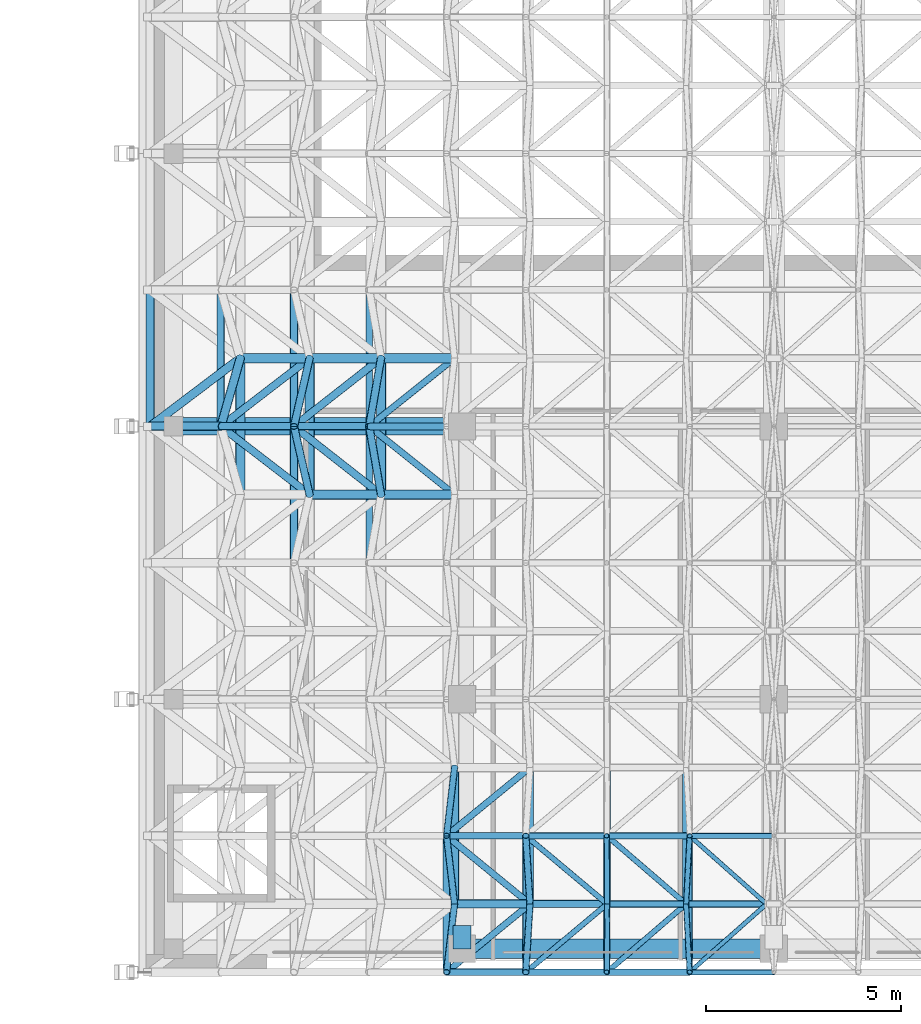
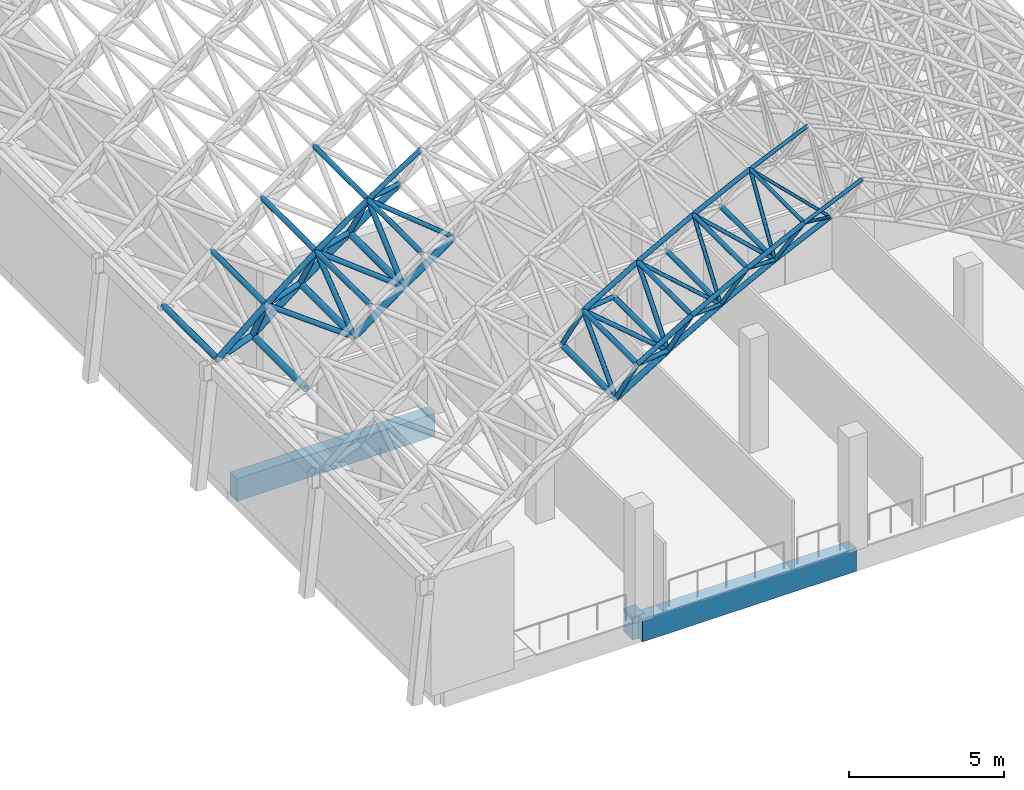
# One storey, part 39 of 141: 68 members, 3 beams.
"""IFC4 building model written with IfcOpenShell, lengths in metres."""

from ifc_helpers import new_model, si_unit, direction, frame, origin, origin_2d, place, context, subcontext, project, spatial, rectangle, hollow_circle, extrude, material, material_profile, profile_set, type_object, element, save


model = new_model("IFC4")

# Units and contexts
model_context = context("Model", 3, precision=1e-05, world=origin(), true_north=direction((0.0, 1.0)))
body_context = subcontext(model_context, "Body", "Model", "MODEL_VIEW")
ifc_project = project(units=[si_unit("LENGTHUNIT", "METRE"), si_unit("AREAUNIT", "SQUARE_METRE"), si_unit("VOLUMEUNIT", "CUBIC_METRE"), si_unit("PLANEANGLEUNIT", "RADIAN"), si_unit("MASSUNIT", "GRAM", prefix="KILO")], contexts=[model_context])

# Site, building, storey
site_placement = place(None, origin())
site = spatial("IfcSite", under=ifc_project, at=site_placement, CompositionType="ELEMENT")
building_placement = place(site_placement, origin())
building = spatial("IfcBuilding", under=site, at=building_placement, Name="Lantern Court Media Centre", CompositionType="ELEMENT")
storey_placement = place(building_placement, frame((0.0, 0.0, 9.60009765625)))
storey = spatial("IfcBuildingStorey", under=building, at=storey_placement, Name="L02", CompositionType="ELEMENT", Elevation=9.60009765625)

# Beams
ifc_material_1 = material(Name="Concrete C35", Category="concrete")
ifc_material_profile_1 = material_profile(ifc_material_1, rectangle(XDim=0.449951171875, YDim=0.89990234375, at=origin_2d()), Name="RC 450x900")
ifc_profile_set_1 = profile_set([ifc_material_profile_1], Name="Concrete C35")
beam_type_1 = type_object("IfcBeamType", Name="RC BEAM 450x900", PredefinedType="BEAM", material=ifc_profile_set_1)
beam_1_placement = place(storey_placement, frame((72.60009765625, 12.0, -0.4501953125), z_axis=(1.0, 0.0, 0.0), x_axis=(0.0, 1.0, 0.0)))
element("IfcBeam", 1, at=beam_1_placement, inside=storey, type_object=beam_type_1, Name="HB-V2-L02-FX2-0", PredefinedType="BEAM", context=body_context, shape_type="SweptSolid", body=[
    extrude(rectangle(XDim=0.449951171875, YDim=0.89990234375, at=origin_2d()), origin(), (0.0, 0.0, 1.0), 7.39990234375),
])
beam_2_placement = place(storey_placement, frame((80.0, -1.39990234375, -0.4501953125), z_axis=(0.0, 1.0, 0.0), x_axis=(-1.0, 0.0, 0.0)))
element("IfcBeam", 2, at=beam_2_placement, inside=storey, type_object=beam_type_1, Name="HB-V2-L02-FY1-0", PredefinedType="BEAM", context=body_context, shape_type="SweptSolid", body=[
    extrude(rectangle(XDim=0.449951171875, YDim=0.89990234375, at=origin_2d()), origin(), (0.0, 0.0, 1.0), 0.599853515625),
])
ifc_material_profile_2 = material_profile(ifc_material_1, rectangle(XDim=0.5, YDim=0.89990234375, at=origin_2d()), Name="RC 500x900")
ifc_profile_set_2 = profile_set([ifc_material_profile_2], Name="Concrete C35")
beam_type_2 = type_object("IfcBeamType", Name="RC BEAM 500x900", PredefinedType="BEAM", material=ifc_profile_set_2)
beam_3_placement = place(storey_placement, frame((80.0, -1.39990234375, -0.4501953125), z_axis=(1.0, 0.0, 0.0), x_axis=(0.0, 1.0, 0.0)))
element("IfcBeam", 3, at=beam_3_placement, inside=storey, type_object=beam_type_2, Name="HB-V2-L02-FX0-1", PredefinedType="BEAM", context=body_context, shape_type="SweptSolid", body=[
    extrude(rectangle(XDim=0.5, YDim=0.89990234375, at=origin_2d()), origin(), (0.0, 0.0, 1.0), 8.0),
])

# Members
ifc_material_2 = material(Name="Steel S355J2 (EN 10025-2)", Category="steel")
ifc_material_profile_3 = material_profile(ifc_material_2, hollow_circle(Radius=0.0888671875, WallThickness=0.008056640625, at=origin_2d()), Name="Studio Hall bottom CHS 177.8x8")
ifc_profile_set_3 = profile_set([ifc_material_profile_3], Name="Steel S355J2 (EN 10025-2)")
member_type_1 = type_object("IfcMemberType", Name="Studio Hall bottom CHS 177.8x8", PredefinedType="CHORD", material=ifc_profile_set_3)
for number, where, z_axis, x_axis, name in (
    (4, (83.724365234375, -0.25, 10.2939453125), (0.0, 1.0, 0.0), (-1.0, 0.0, 0.0), "Studio Hall bottom chord 06-01"),
    (5, (85.748291015625, -0.25, 11.3466796875), (0.0, 1.0, 0.0), (-1.0, 0.0, 0.0), "Studio Hall bottom chord 07-01"),
):
    element("IfcMember", number, at=place(storey_placement, frame(where, z_axis=z_axis, x_axis=x_axis)), inside=storey, type_object=member_type_1, Name=name, PredefinedType="CHORD", context=body_context, shape_type="SweptSolid", body=[
        extrude(hollow_circle(Radius=0.0888671875, WallThickness=0.008056640625, at=origin_2d()), origin(), (0.0, 0.0, 1.0), 3.5),
    ])
member_1_placement = place(storey_placement, frame((83.724365234375, -0.25, 10.2939453125), z_axis=(0.887164230848, 0.0, 0.461453819471), x_axis=(0.0, 1.0, 0.0)))
element("IfcMember", 6, at=member_1_placement, inside=storey, type_object=member_type_1, Name="Studio Hall bottom chord 06-01 across", PredefinedType="CHORD", context=body_context, shape_type="SweptSolid", body=[
    extrude(hollow_circle(Radius=0.0888671875, WallThickness=0.008056640625, at=origin_2d()), origin(), (0.0, 0.0, 1.0), 2.28125),
])
member_2_placement = place(storey_placement, frame((85.748291015625, -0.25, 11.3466796875), z_axis=(0.904668285171, 0.0, 0.426116526088), x_axis=(0.0, 1.0, 0.0)))
element("IfcMember", 7, at=member_2_placement, inside=storey, type_object=member_type_1, Name="Studio Hall bottom chord 07-01 across", PredefinedType="CHORD", context=body_context, shape_type="SweptSolid", body=[
    extrude(hollow_circle(Radius=0.0888671875, WallThickness=0.008056640625, at=origin_2d()), origin(), (0.0, 0.0, 1.0), 2.281494140625),
])
ifc_material_profile_4 = material_profile(ifc_material_2, hollow_circle(Radius=0.096923828125, WallThickness=0.008056640625, at=origin_2d()), Name="Studio Hall bottom CHS 193.7x8")
ifc_profile_set_4 = profile_set([ifc_material_profile_4], Name="Steel S355J2 (EN 10025-2)")
member_type_2 = type_object("IfcMemberType", Name="Studio Hall bottom CHS 193.7x8", PredefinedType="CHORD", material=ifc_profile_set_4)
member_3_placement = place(storey_placement, frame((81.74365234375, -0.25, 9.162109375), z_axis=(0.0, 1.0, 0.0), x_axis=(-1.0, 0.0, 0.0)))
element("IfcMember", 8, at=member_3_placement, inside=storey, type_object=member_type_2, Name="Studio Hall bottom chord 05-01", PredefinedType="CHORD", context=body_context, shape_type="SweptSolid", body=[
    extrude(hollow_circle(Radius=0.096923828125, WallThickness=0.008056640625, at=origin_2d()), origin(), (0.0, 0.0, 1.0), 3.5),
])
member_4_placement = place(storey_placement, frame((81.74365234375, -0.25, 9.162109375), z_axis=(0.868243142124, 0.0, 0.496138938357), x_axis=(0.0, 1.0, 0.0)))
element("IfcMember", 9, at=member_4_placement, inside=storey, type_object=member_type_2, Name="Studio Hall bottom chord 05-01 across", PredefinedType="CHORD", context=body_context, shape_type="SweptSolid", body=[
    extrude(hollow_circle(Radius=0.096923828125, WallThickness=0.008056640625, at=origin_2d()), origin(), (0.0, 0.0, 1.0), 2.28125),
])
ifc_material_profile_5 = material_profile(ifc_material_2, hollow_circle(Radius=0.109619140625, WallThickness=0.010009765625, at=origin_2d()), Name="Studio Hall bottom CHS 219.1x10")
ifc_profile_set_5 = profile_set([ifc_material_profile_5], Name="Steel S355J2 (EN 10025-2)")
member_type_3 = type_object("IfcMemberType", Name="Studio Hall bottom CHS 219.1x10", PredefinedType="CHORD", material=ifc_profile_set_5)
member_5_placement = place(storey_placement, frame((79.80908203125, -0.25, 7.953125), z_axis=(0.0, 1.0, 0.0), x_axis=(-1.0, 0.0, 0.0)))
element("IfcMember", 10, at=member_5_placement, inside=storey, type_object=member_type_3, Name="Studio Hall bottom chord 04-01", PredefinedType="CHORD", context=body_context, shape_type="SweptSolid", body=[
    extrude(hollow_circle(Radius=0.109619140625, WallThickness=0.010009765625, at=origin_2d()), origin(), (0.0, 0.0, 1.0), 3.5),
])
member_6_placement = place(storey_placement, frame((79.80908203125, -0.25, 7.953125), z_axis=(0.848022352453, 0.0, 0.529960460544), x_axis=(0.0, 1.0, 0.0)))
element("IfcMember", 11, at=member_6_placement, inside=storey, type_object=member_type_3, Name="Studio Hall bottom chord 04-01 across", PredefinedType="CHORD", context=body_context, shape_type="SweptSolid", body=[
    extrude(hollow_circle(Radius=0.109619140625, WallThickness=0.010009765625, at=origin_2d()), origin(), (0.0, 0.0, 1.0), 2.28125),
])
ifc_material_profile_6 = material_profile(ifc_material_2, hollow_circle(Radius=0.122314453125, WallThickness=0.012451171875, at=origin_2d()), Name="Studio Hall bottom CHS 244.5x12.5")
ifc_profile_set_6 = profile_set([ifc_material_profile_6], Name="Steel S355J2 (EN 10025-2)")
member_type_4 = type_object("IfcMemberType", Name="Studio Hall bottom CHS 244.5x12.5", PredefinedType="CHORD", material=ifc_profile_set_6)
member_7_placement = place(storey_placement, frame((77.923828125, 10.25, 6.66845703125), z_axis=(0.0, 1.0, 0.0), x_axis=(-1.0, 0.0, 0.0)))
element("IfcMember", 12, at=member_7_placement, inside=storey, type_object=member_type_4, Name="Studio Hall bottom chord 03-04", PredefinedType="CHORD", context=body_context, shape_type="SweptSolid", body=[
    extrude(hollow_circle(Radius=0.122314453125, WallThickness=0.012451171875, at=origin_2d()), origin(), (0.0, 0.0, 1.0), 3.5),
])
for number, where, z_axis, x_axis, name in (
    (13, (77.923828125, 10.25, 6.66845703125), (0.826376743552, 0.0, 0.563117641099), (0.0, 1.0, 0.0), "Studio Hall bottom chord 03-04 across"),
    (14, (77.923828125, 13.75, 6.66845703125), (0.826376743552, 0.0, 0.563117641099), (0.0, 1.0, 0.0), "Studio Hall bottom chord 03-05 across"),
):
    element("IfcMember", number, at=place(storey_placement, frame(where, z_axis=z_axis, x_axis=x_axis)), inside=storey, type_object=member_type_4, Name=name, PredefinedType="CHORD", context=body_context, shape_type="SweptSolid", body=[
        extrude(hollow_circle(Radius=0.122314453125, WallThickness=0.012451171875, at=origin_2d()), origin(), (0.0, 0.0, 1.0), 2.28125),
    ])
ifc_material_profile_7 = material_profile(ifc_material_2, hollow_circle(Radius=0.122314453125, WallThickness=0.01611328125, at=origin_2d()), Name="Studio Hall bottom CHS 244.5x16")
ifc_profile_set_7 = profile_set([ifc_material_profile_7], Name="Steel S355J2 (EN 10025-2)")
member_type_5 = type_object("IfcMemberType", Name="Studio Hall bottom CHS 244.5x16", PredefinedType="CHORD", material=ifc_profile_set_7)
member_8_placement = place(storey_placement, frame((76.090576171875, 10.25, 5.310546875), z_axis=(0.0, 1.0, 0.0), x_axis=(-1.0, 0.0, 0.0)))
element("IfcMember", 15, at=member_8_placement, inside=storey, type_object=member_type_5, Name="Studio Hall bottom chord 02-04", PredefinedType="CHORD", context=body_context, shape_type="SweptSolid", body=[
    extrude(hollow_circle(Radius=0.122314453125, WallThickness=0.01611328125, at=origin_2d()), origin(), (0.0, 0.0, 1.0), 3.5),
])
for number, where, z_axis, x_axis, name in (
    (16, (76.090576171875, 10.25, 5.310546875), (0.803568567589, 0.0, 0.59521219509), (0.0, 1.0, 0.0), "Studio Hall bottom chord 02-04 across"),
    (17, (76.090576171875, 13.75, 5.310546875), (0.803568567589, 0.0, 0.59521219509), (0.0, 1.0, 0.0), "Studio Hall bottom chord 02-05 across"),
):
    element("IfcMember", number, at=place(storey_placement, frame(where, z_axis=z_axis, x_axis=x_axis)), inside=storey, type_object=member_type_5, Name=name, PredefinedType="CHORD", context=body_context, shape_type="SweptSolid", body=[
        extrude(hollow_circle(Radius=0.122314453125, WallThickness=0.01611328125, at=origin_2d()), origin(), (0.0, 0.0, 1.0), 2.281494140625),
    ])
ifc_material_profile_8 = material_profile(ifc_material_2, hollow_circle(Radius=0.122314453125, WallThickness=0.02001953125, at=origin_2d()), Name="Studio Hall bottom CHS 244.5x20")
ifc_profile_set_8 = profile_set([ifc_material_profile_8], Name="Steel S355J2 (EN 10025-2)")
member_type_6 = type_object("IfcMemberType", Name="Studio Hall bottom CHS 244.5x20", PredefinedType="CHORD", material=ifc_profile_set_8)
member_9_placement = place(storey_placement, frame((74.3125, 10.25, 3.881591796875), z_axis=(0.0, 1.0, 0.0), x_axis=(-1.0, 0.0, 0.0)))
element("IfcMember", 18, at=member_9_placement, inside=storey, type_object=member_type_6, Name="Studio Hall bottom chord 01-04", PredefinedType="CHORD", context=body_context, shape_type="SweptSolid", body=[
    extrude(hollow_circle(Radius=0.122314453125, WallThickness=0.02001953125, at=origin_2d()), origin(), (0.0, 0.0, 1.0), 3.5),
])
member_10_placement = place(storey_placement, frame((74.3125, 13.75, 3.881591796875), z_axis=(0.779478138425, 0.0, 0.626429430757), x_axis=(0.0, 1.0, 0.0)))
element("IfcMember", 19, at=member_10_placement, inside=storey, type_object=member_type_6, Name="Studio Hall bottom chord 01-05 across", PredefinedType="CHORD", context=body_context, shape_type="SweptSolid", body=[
    extrude(hollow_circle(Radius=0.122314453125, WallThickness=0.02001953125, at=origin_2d()), origin(), (0.0, 0.0, 1.0), 2.281005859375),
])
ifc_material_profile_9 = material_profile(ifc_material_2, hollow_circle(Radius=0.05712890625, WallThickness=0.0048828125, at=origin_2d()), Name="Studio Hall diagonal CHS 114.3x5")
ifc_profile_set_9 = profile_set([ifc_material_profile_9], Name="Steel S355J2 (EN 10025-2)")
member_type_7 = type_object("IfcMemberType", Name="Studio Hall diagonal CHS 114.3x5", PredefinedType="BRACE", material=ifc_profile_set_9)
for number, where, z_axis, x_axis, name in (
    (20, (87.812255859375, -0.25, 12.31884765625), (-0.64897917405, -0.57530085575, 0.497850335967), (0.663352272412, -0.748307264889, 0.0), "Studio Hall diagonal 08-01-1"),
    (21, (87.812255859375, -0.25, 12.31884765625), (-0.64897917405, 0.57530085575, 0.497850335967), (-0.663352272412, -0.748307264889, 0.0), "Studio Hall diagonal 08-01-4"),
):
    element("IfcMember", number, at=place(storey_placement, frame(where, z_axis=z_axis, x_axis=x_axis)), inside=storey, type_object=member_type_7, Name=name, PredefinedType="BRACE", context=body_context, shape_type="SweptSolid", body=[
        extrude(hollow_circle(Radius=0.05712890625, WallThickness=0.0048828125, at=origin_2d()), origin(), (0.0, 0.0, 1.0), 3.0419921875),
    ])
ifc_material_profile_10 = material_profile(ifc_material_2, hollow_circle(Radius=0.06982421875, WallThickness=0.00634765625, at=origin_2d()), Name="Studio Hall diagonal CHS 139.7x6.3")
ifc_profile_set_10 = profile_set([ifc_material_profile_10], Name="Steel S355J2 (EN 10025-2)")
member_type_8 = type_object("IfcMemberType", Name="Studio Hall diagonal CHS 139.7x6.3", PredefinedType="BRACE", material=ifc_profile_set_10)
for number, where, z_axis, x_axis, name in (
    (22, (83.724365234375, -0.25, 10.2939453125), (-0.686219606918, -0.575300835367, 0.445119759061), (0.642456097081, -0.76632249303, 0.0), "Studio Hall diagonal 06-01-1"),
    (23, (83.724365234375, -0.25, 10.2939453125), (-0.002728673556, -0.575268589684, 0.817960025957), (0.999988750725, -0.004743250213, 0.0), "Studio Hall diagonal 06-01-2"),
    (24, (83.724365234375, -0.25, 10.2939453125), (-0.002728673556, 0.575268589684, 0.817960025957), (-0.999988750725, -0.004743250213, 0.0), "Studio Hall diagonal 06-01-3"),
    (25, (83.724365234375, -0.25, 10.2939453125), (-0.686219606918, 0.575300835367, 0.445119759061), (-0.642456097081, -0.76632249303, 0.0), "Studio Hall diagonal 06-01-4"),
    (26, (85.748291015625, -0.25, 11.3466796875), (-0.668074997838, -0.575295721349, 0.471922271419), (0.652528943422, -0.757763800927, 0.0), "Studio Hall diagonal 07-01-1"),
    (27, (85.748291015625, -0.25, 11.3466796875), (0.029534674704, -0.575284098581, 0.817420276792), (0.998684738299, 0.051271761118, 0.0), "Studio Hall diagonal 07-01-2"),
    (28, (85.748291015625, -0.25, 11.3466796875), (0.029534674704, 0.575284098581, 0.817420276792), (-0.998684738299, 0.051271761118, 0.0), "Studio Hall diagonal 07-01-3"),
    (29, (85.748291015625, -0.25, 11.3466796875), (-0.668074997838, 0.575295721349, 0.471922271419), (-0.652528943422, -0.757763800927, 0.0), "Studio Hall diagonal 07-01-4"),
):
    element("IfcMember", number, at=place(storey_placement, frame(where, z_axis=z_axis, x_axis=x_axis)), inside=storey, type_object=member_type_8, Name=name, PredefinedType="BRACE", context=body_context, shape_type="SweptSolid", body=[
        extrude(hollow_circle(Radius=0.06982421875, WallThickness=0.00634765625, at=origin_2d()), origin(), (0.0, 0.0, 1.0), 3.0419921875),
    ])
ifc_material_profile_11 = material_profile(ifc_material_2, hollow_circle(Radius=0.084228515625, WallThickness=0.00634765625, at=origin_2d()), Name="Studio Hall diagonal CHS 168.3x6.3")
ifc_profile_set_11 = profile_set([ifc_material_profile_11], Name="Steel S355J2 (EN 10025-2)")
member_type_9 = type_object("IfcMemberType", Name="Studio Hall diagonal CHS 168.3x6.3", PredefinedType="BRACE", material=ifc_profile_set_11)
for number, where, z_axis, x_axis, name in (
    (30, (81.74365234375, -0.25, 9.162109375), (-0.703225463004, -0.575293325589, 0.417745781207), (0.633189685482, -0.77399665516, 0.0), "Studio Hall diagonal 05-01-1"),
    (31, (81.74365234375, -0.25, 9.162109375), (-0.035073053804, -0.575294392838, 0.817194127773), (0.99814677432, -0.060852419138, 0.0), "Studio Hall diagonal 05-01-2"),
    (32, (81.74365234375, -0.25, 9.162109375), (-0.035073053804, 0.575294392838, 0.817194127773), (-0.99814677432, -0.060852419138, 0.0), "Studio Hall diagonal 05-01-3"),
    (33, (81.74365234375, -0.25, 9.162109375), (-0.703225463004, 0.575293325589, 0.417745781207), (-0.633189685482, -0.77399665516, 0.0), "Studio Hall diagonal 05-01-4"),
    (34, (81.74365234375, 3.25, 9.162109375), (-0.703225463004, -0.575293325589, 0.417745781207), (0.633189685482, -0.77399665516, 0.0), "Studio Hall diagonal 05-02-1"),
):
    element("IfcMember", number, at=place(storey_placement, frame(where, z_axis=z_axis, x_axis=x_axis)), inside=storey, type_object=member_type_9, Name=name, PredefinedType="BRACE", context=body_context, shape_type="SweptSolid", body=[
        extrude(hollow_circle(Radius=0.084228515625, WallThickness=0.00634765625, at=origin_2d()), origin(), (0.0, 0.0, 1.0), 3.0419921875),
    ])
ifc_material_profile_12 = material_profile(ifc_material_2, hollow_circle(Radius=0.084228515625, WallThickness=0.008056640625, at=origin_2d()), Name="Studio Hall diagonal CHS 168.3x8")
ifc_profile_set_12 = profile_set([ifc_material_profile_12], Name="Steel S355J2 (EN 10025-2)")
member_type_10 = type_object("IfcMemberType", Name="Studio Hall diagonal CHS 168.3x8", PredefinedType="BRACE", material=ifc_profile_set_12)
for number, where, z_axis, x_axis, name in (
    (35, (79.80908203125, -0.25, 7.953125), (-0.067256187735, -0.575289204878, 0.815180308865), (0.993235466132, -0.116117650756, 0.0), "Studio Hall diagonal 04-01-2"),
    (36, (79.80908203125, -0.25, 7.953125), (-0.067256187735, 0.575289204878, 0.815180308865), (-0.993235466132, -0.116117650756, 0.0), "Studio Hall diagonal 04-01-3"),
    (37, (79.80908203125, 3.25, 7.953125), (-0.067256187735, -0.575289204878, 0.815180308865), (0.993235466132, -0.116117650756, 0.0), "Studio Hall diagonal 04-02-2"),
    (38, (79.80908203125, 10.25, 7.953125), (-0.719205791884, 0.57530042587, 0.38957983638), (-0.624652537065, -0.780902815937, 0.0), "Studio Hall diagonal 04-04-4"),
    (39, (79.80908203125, 13.75, 7.953125), (-0.719205791884, -0.57530042587, 0.38957983638), (0.624652537065, -0.780902815937, 0.0), "Studio Hall diagonal 04-05-1"),
):
    element("IfcMember", number, at=place(storey_placement, frame(where, z_axis=z_axis, x_axis=x_axis)), inside=storey, type_object=member_type_10, Name=name, PredefinedType="BRACE", context=body_context, shape_type="SweptSolid", body=[
        extrude(hollow_circle(Radius=0.084228515625, WallThickness=0.008056640625, at=origin_2d()), origin(), (0.0, 0.0, 1.0), 3.0419921875),
    ])
ifc_material_profile_13 = material_profile(ifc_material_2, hollow_circle(Radius=0.096923828125, WallThickness=0.010009765625, at=origin_2d()), Name="Studio Hall diagonal CHS 193.7x10")
ifc_profile_set_13 = profile_set([ifc_material_profile_13], Name="Steel S355J2 (EN 10025-2)")
member_type_11 = type_object("IfcMemberType", Name="Studio Hall diagonal CHS 193.7x10", PredefinedType="BRACE", material=ifc_profile_set_13)
for number, where, z_axis, x_axis, name in (
    (40, (76.090576171875, 10.25, 5.310546875), (-0.13137534314, 0.575258680284, 0.807352444706), (-0.97489985117, -0.222643841569, 0.0), "Studio Hall diagonal 02-04-3"),
    (41, (76.090576171875, 10.25, 5.310546875), (-0.747676961141, 0.575284291269, 0.331703400644), (-0.609809429153, -0.792548080634, 0.0), "Studio Hall diagonal 02-04-4"),
    (42, (76.090576171875, 13.75, 5.310546875), (-0.747676961141, -0.575284291269, 0.331703400644), (0.609809429153, -0.792548080634, 0.0), "Studio Hall diagonal 02-05-1"),
    (43, (76.090576171875, 13.75, 5.310546875), (-0.13137534314, -0.575258680284, 0.807352444706), (0.97489985117, -0.222643841569, 0.0), "Studio Hall diagonal 02-05-2"),
):
    element("IfcMember", number, at=place(storey_placement, frame(where, z_axis=z_axis, x_axis=x_axis)), inside=storey, type_object=member_type_11, Name=name, PredefinedType="BRACE", context=body_context, shape_type="SweptSolid", body=[
        extrude(hollow_circle(Radius=0.096923828125, WallThickness=0.010009765625, at=origin_2d()), origin(), (0.0, 0.0, 1.0), 3.0419921875),
    ])
ifc_material_profile_14 = material_profile(ifc_material_2, hollow_circle(Radius=0.096923828125, WallThickness=0.008056640625, at=origin_2d()), Name="Studio Hall diagonal CHS 193.7x8")
ifc_profile_set_14 = profile_set([ifc_material_profile_14], Name="Steel S355J2 (EN 10025-2)")
member_type_12 = type_object("IfcMemberType", Name="Studio Hall diagonal CHS 193.7x8", PredefinedType="BRACE", material=ifc_profile_set_14)
for number, where, z_axis, x_axis, name in (
    (44, (77.923828125, 10.25, 6.66845703125), (-0.099439098635, 0.575286084759, 0.811885328323), (-0.985387799185, -0.170325820758, 0.0), "Studio Hall diagonal 03-04-3"),
    (45, (77.923828125, 10.25, 6.66845703125), (-0.734005385991, 0.57526247614, 0.360983624118), (-0.616855729008, -0.787076241282, 0.0), "Studio Hall diagonal 03-04-4"),
    (46, (77.923828125, 13.75, 6.66845703125), (-0.734005385991, -0.57526247614, 0.360983624118), (0.616855729008, -0.787076241282, 0.0), "Studio Hall diagonal 03-05-1"),
    (47, (77.923828125, 13.75, 6.66845703125), (-0.099439098635, -0.575286084759, 0.811885328323), (0.985387799185, -0.170325820758, 0.0), "Studio Hall diagonal 03-05-2"),
):
    element("IfcMember", number, at=place(storey_placement, frame(where, z_axis=z_axis, x_axis=x_axis)), inside=storey, type_object=member_type_12, Name=name, PredefinedType="BRACE", context=body_context, shape_type="SweptSolid", body=[
        extrude(hollow_circle(Radius=0.096923828125, WallThickness=0.008056640625, at=origin_2d()), origin(), (0.0, 0.0, 1.0), 3.0419921875),
    ])
ifc_material_profile_15 = material_profile(ifc_material_2, hollow_circle(Radius=0.109619140625, WallThickness=0.010009765625, at=origin_2d()), Name="Studio Hall diagonal CHS 219.1x10")
ifc_profile_set_15 = profile_set([ifc_material_profile_15], Name="Steel S355J2 (EN 10025-2)")
member_type_13 = type_object("IfcMemberType", Name="Studio Hall diagonal CHS 219.1x10", PredefinedType="BRACE", material=ifc_profile_set_15)
member_11_placement = place(storey_placement, frame((74.3125, 13.75, 3.881591796875), z_axis=(-0.760210907984, -0.575294741177, 0.301853169862), x_axis=(0.603442670186, -0.797406385602, 0.0)))
element("IfcMember", 48, at=member_11_placement, inside=storey, type_object=member_type_13, Name="Studio Hall diagonal 01-05-1", PredefinedType="BRACE", context=body_context, shape_type="SweptSolid", body=[
    extrude(hollow_circle(Radius=0.109619140625, WallThickness=0.010009765625, at=origin_2d()), origin(), (0.0, 0.0, 1.0), 3.0419921875),
])
member_12_placement = place(storey_placement, frame((74.3125, 13.75, 3.881591796875), z_axis=(-0.163171626005, -0.575314419679, 0.801491321835), x_axis=(0.962053941871, -0.2728593281, 0.0)))
element("IfcMember", 49, at=member_12_placement, inside=storey, type_object=member_type_13, Name="Studio Hall diagonal 01-05-2", PredefinedType="BRACE", context=body_context, shape_type="SweptSolid", body=[
    extrude(hollow_circle(Radius=0.109619140625, WallThickness=0.010009765625, at=origin_2d()), origin(), (0.0, 0.0, 1.0), 3.041748046875),
])
ifc_material_profile_16 = material_profile(ifc_material_2, hollow_circle(Radius=0.06982421875, WallThickness=0.00634765625, at=origin_2d()), Name="Studio Hall top CHS 139.7x6.3")
ifc_profile_set_16 = profile_set([ifc_material_profile_16], Name="Steel S355J2 (EN 10025-2)")
member_type_14 = type_object("IfcMemberType", Name="Studio Hall top CHS 139.7x6.3", PredefinedType="CHORD", material=ifc_profile_set_16)
member_13_placement = place(storey_placement, frame((85.838134765625, -2.0, 13.833251953125), z_axis=(0.0, 1.0, 0.0), x_axis=(-1.0, 0.0, 0.0)))
element("IfcMember", 50, at=member_13_placement, inside=storey, type_object=member_type_14, Name="Studio Hall top chord 08-01", PredefinedType="CHORD", context=body_context, shape_type="SweptSolid", body=[
    extrude(hollow_circle(Radius=0.06982421875, WallThickness=0.00634765625, at=origin_2d()), origin(), (0.0, 0.0, 1.0), 3.5),
])
for number, where, z_axis, x_axis, name in (
    (51, (85.838134765625, -2.0, 13.833251953125), (0.912912280931, 0.0, 0.408155812559), (0.0, 1.0, 0.0), "Studio Hall top chord 08-01 across"),
    (52, (85.838134765625, 1.5, 13.833251953125), (0.912912280931, 0.0, 0.408155812559), (0.0, 1.0, 0.0), "Studio Hall top chord 08-02 across"),
):
    element("IfcMember", number, at=place(storey_placement, frame(where, z_axis=z_axis, x_axis=x_axis)), inside=storey, type_object=member_type_14, Name=name, PredefinedType="CHORD", context=body_context, shape_type="SweptSolid", body=[
        extrude(hollow_circle(Radius=0.06982421875, WallThickness=0.00634765625, at=origin_2d()), origin(), (0.0, 0.0, 1.0), 2.3681640625),
    ])
ifc_material_profile_17 = material_profile(ifc_material_2, hollow_circle(Radius=0.084228515625, WallThickness=0.00634765625, at=origin_2d()), Name="Studio Hall top CHS 168.3x6.3")
ifc_profile_set_17 = profile_set([ifc_material_profile_17], Name="Steel S355J2 (EN 10025-2)")
member_type_15 = type_object("IfcMemberType", Name="Studio Hall top CHS 168.3x6.3", PredefinedType="CHORD", material=ifc_profile_set_17)
for number, where, z_axis, x_axis, name in (
    (53, (81.636962890625, -2.0, 11.64794921875), (0.0, 1.0, 0.0), (-1.0, 0.0, 0.0), "Studio Hall top chord 06-01"),
    (54, (83.716064453125, -2.0, 12.7822265625), (0.0, 1.0, 0.0), (-1.0, 0.0, 0.0), "Studio Hall top chord 07-01"),
):
    element("IfcMember", number, at=place(storey_placement, frame(where, z_axis=z_axis, x_axis=x_axis)), inside=storey, type_object=member_type_15, Name=name, PredefinedType="CHORD", context=body_context, shape_type="SweptSolid", body=[
        extrude(hollow_circle(Radius=0.084228515625, WallThickness=0.00634765625, at=origin_2d()), origin(), (0.0, 0.0, 1.0), 3.5),
    ])
member_14_placement = place(storey_placement, frame((81.636962890625, -2.0, 11.64794921875), z_axis=(0.877856175106, 0.0, 0.478924352929), x_axis=(0.0, 1.0, 0.0)))
element("IfcMember", 55, at=member_14_placement, inside=storey, type_object=member_type_15, Name="Studio Hall top chord 06-01 across", PredefinedType="CHORD", context=body_context, shape_type="SweptSolid", body=[
    extrude(hollow_circle(Radius=0.084228515625, WallThickness=0.00634765625, at=origin_2d()), origin(), (0.0, 0.0, 1.0), 2.368408203125),
])
member_15_placement = place(storey_placement, frame((83.716064453125, -2.0, 12.7822265625), z_axis=(0.89611157523, 0.0, 0.443828846222), x_axis=(0.0, 1.0, 0.0)))
element("IfcMember", 56, at=member_15_placement, inside=storey, type_object=member_type_15, Name="Studio Hall top chord 07-01 across", PredefinedType="CHORD", context=body_context, shape_type="SweptSolid", body=[
    extrude(hollow_circle(Radius=0.084228515625, WallThickness=0.00634765625, at=origin_2d()), origin(), (0.0, 0.0, 1.0), 2.3681640625),
])
member_16_placement = place(storey_placement, frame((81.636962890625, 1.5, 11.64794921875), z_axis=(0.877856175106, 0.0, 0.478924352929), x_axis=(0.0, 1.0, 0.0)))
element("IfcMember", 57, at=member_16_placement, inside=storey, type_object=member_type_15, Name="Studio Hall top chord 06-02 across", PredefinedType="CHORD", context=body_context, shape_type="SweptSolid", body=[
    extrude(hollow_circle(Radius=0.084228515625, WallThickness=0.00634765625, at=origin_2d()), origin(), (0.0, 0.0, 1.0), 2.368408203125),
])
member_17_placement = place(storey_placement, frame((83.716064453125, 1.5, 12.7822265625), z_axis=(0.89611157523, 0.0, 0.443828846222), x_axis=(0.0, 1.0, 0.0)))
element("IfcMember", 58, at=member_17_placement, inside=storey, type_object=member_type_15, Name="Studio Hall top chord 07-02 across", PredefinedType="CHORD", context=body_context, shape_type="SweptSolid", body=[
    extrude(hollow_circle(Radius=0.084228515625, WallThickness=0.00634765625, at=origin_2d()), origin(), (0.0, 0.0, 1.0), 2.3681640625),
])
ifc_material_profile_18 = material_profile(ifc_material_2, hollow_circle(Radius=0.0888671875, WallThickness=0.010009765625, at=origin_2d()), Name="Studio Hall top CHS 177.8x10")
ifc_profile_set_18 = profile_set([ifc_material_profile_18], Name="Steel S355J2 (EN 10025-2)")
member_type_16 = type_object("IfcMemberType", Name="Studio Hall top CHS 177.8x10", PredefinedType="CHORD", material=ifc_profile_set_18)
for number, where, z_axis, x_axis, name in (
    (59, (77.621337890625, 8.5, 9.13818359375), (0.0, 1.0, 0.0), (-1.0, 0.0, 0.0), "Studio Hall top chord 04-04"),
    (60, (77.621337890625, 12.0, 9.13818359375), (0.0, 1.0, 0.0), (-1.0, 0.0, 0.0), "Studio Hall top chord 04-05"),
):
    element("IfcMember", number, at=place(storey_placement, frame(where, z_axis=z_axis, x_axis=x_axis)), inside=storey, type_object=member_type_16, Name=name, PredefinedType="CHORD", context=body_context, shape_type="SweptSolid", body=[
        extrude(hollow_circle(Radius=0.0888671875, WallThickness=0.010009765625, at=origin_2d()), origin(), (0.0, 0.0, 1.0), 3.5),
    ])
member_18_placement = place(storey_placement, frame((77.621337890625, 12.0, 9.13818359375), z_axis=(0.837356212506, 0.0, 0.546657638178), x_axis=(0.0, 1.0, 0.0)))
element("IfcMember", 61, at=member_18_placement, inside=storey, type_object=member_type_16, Name="Studio Hall top chord 04-05 across", PredefinedType="CHORD", context=body_context, shape_type="SweptSolid", body=[
    extrude(hollow_circle(Radius=0.0888671875, WallThickness=0.010009765625, at=origin_2d()), origin(), (0.0, 0.0, 1.0), 2.368408203125),
])
ifc_material_profile_19 = material_profile(ifc_material_2, hollow_circle(Radius=0.0888671875, WallThickness=0.008056640625, at=origin_2d()), Name="Studio Hall top CHS 177.8x8")
ifc_profile_set_19 = profile_set([ifc_material_profile_19], Name="Steel S355J2 (EN 10025-2)")
member_type_17 = type_object("IfcMemberType", Name="Studio Hall top CHS 177.8x8", PredefinedType="CHORD", material=ifc_profile_set_19)
member_19_placement = place(storey_placement, frame((79.6044921875, -2.0, 10.432861328125), z_axis=(0.0, 1.0, 0.0), x_axis=(-1.0, 0.0, 0.0)))
element("IfcMember", 62, at=member_19_placement, inside=storey, type_object=member_type_17, Name="Studio Hall top chord 05-01", PredefinedType="CHORD", context=body_context, shape_type="SweptSolid", body=[
    extrude(hollow_circle(Radius=0.0888671875, WallThickness=0.008056640625, at=origin_2d()), origin(), (0.0, 0.0, 1.0), 3.5),
])
for number, where, z_axis, x_axis, name in (
    (63, (79.6044921875, -2.0, 10.432861328125), (0.858310578199, 0.0, 0.513130540264), (0.0, 1.0, 0.0), "Studio Hall top chord 05-01 across"),
    (64, (79.6044921875, 1.5, 10.432861328125), (0.858310578199, 0.0, 0.513130540264), (0.0, 1.0, 0.0), "Studio Hall top chord 05-02 across"),
):
    element("IfcMember", number, at=place(storey_placement, frame(where, z_axis=z_axis, x_axis=x_axis)), inside=storey, type_object=member_type_17, Name=name, PredefinedType="CHORD", context=body_context, shape_type="SweptSolid", body=[
        extrude(hollow_circle(Radius=0.0888671875, WallThickness=0.008056640625, at=origin_2d()), origin(), (0.0, 0.0, 1.0), 2.367919921875),
    ])
ifc_material_profile_20 = material_profile(ifc_material_2, hollow_circle(Radius=0.096923828125, WallThickness=0.010009765625, at=origin_2d()), Name="Studio Hall top CHS 193.7x10")
ifc_profile_set_20 = profile_set([ifc_material_profile_20], Name="Steel S355J2 (EN 10025-2)")
member_type_18 = type_object("IfcMemberType", Name="Studio Hall top CHS 193.7x10", PredefinedType="CHORD", material=ifc_profile_set_20)
for number, where, z_axis, x_axis, name in (
    (65, (75.69091796875, 8.5, 7.7666015625), (0.0, 1.0, 0.0), (-1.0, 0.0, 0.0), "Studio Hall top chord 03-04"),
    (66, (75.69091796875, 12.0, 7.7666015625), (0.0, 1.0, 0.0), (-1.0, 0.0, 0.0), "Studio Hall top chord 03-05"),
):
    element("IfcMember", number, at=place(storey_placement, frame(where, z_axis=z_axis, x_axis=x_axis)), inside=storey, type_object=member_type_18, Name=name, PredefinedType="CHORD", context=body_context, shape_type="SweptSolid", body=[
        extrude(hollow_circle(Radius=0.096923828125, WallThickness=0.010009765625, at=origin_2d()), origin(), (0.0, 0.0, 1.0), 3.5),
    ])
member_20_placement = place(storey_placement, frame((75.69091796875, 12.0, 7.7666015625), z_axis=(0.815186813221, 0.0, 0.579198117703), x_axis=(0.0, 1.0, 0.0)))
element("IfcMember", 67, at=member_20_placement, inside=storey, type_object=member_type_18, Name="Studio Hall top chord 03-05 across", PredefinedType="CHORD", context=body_context, shape_type="SweptSolid", body=[
    extrude(hollow_circle(Radius=0.096923828125, WallThickness=0.010009765625, at=origin_2d()), origin(), (0.0, 0.0, 1.0), 2.3681640625),
])
ifc_material_profile_21 = material_profile(ifc_material_2, hollow_circle(Radius=0.096923828125, WallThickness=0.012451171875, at=origin_2d()), Name="Studio Hall top CHS 193.7x12.5")
ifc_profile_set_21 = profile_set([ifc_material_profile_21], Name="Steel S355J2 (EN 10025-2)")
member_type_19 = type_object("IfcMemberType", Name="Studio Hall top CHS 193.7x12.5", PredefinedType="CHORD", material=ifc_profile_set_21)
member_21_placement = place(storey_placement, frame((73.816162109375, 12.0, 6.319580078125), z_axis=(0.0, 1.0, 0.0), x_axis=(-1.0, 0.0, 0.0)))
element("IfcMember", 68, at=member_21_placement, inside=storey, type_object=member_type_19, Name="Studio Hall top chord 02-05", PredefinedType="CHORD", context=body_context, shape_type="SweptSolid", body=[
    extrude(hollow_circle(Radius=0.096923828125, WallThickness=0.012451171875, at=origin_2d()), origin(), (0.0, 0.0, 1.0), 3.5),
])
member_22_placement = place(storey_placement, frame((73.816162109375, 12.0, 6.319580078125), z_axis=(0.791622688111, 0.0, 0.611010245141), x_axis=(0.0, 1.0, 0.0)))
element("IfcMember", 69, at=member_22_placement, inside=storey, type_object=member_type_19, Name="Studio Hall top chord 02-05 across", PredefinedType="CHORD", context=body_context, shape_type="SweptSolid", body=[
    extrude(hollow_circle(Radius=0.096923828125, WallThickness=0.012451171875, at=origin_2d()), origin(), (0.0, 0.0, 1.0), 2.3681640625),
])
ifc_material_profile_22 = material_profile(ifc_material_2, hollow_circle(Radius=0.109619140625, WallThickness=0.012451171875, at=origin_2d()), Name="Studio Hall top CHS 219.1x12.5")
ifc_profile_set_22 = profile_set([ifc_material_profile_22], Name="Steel S355J2 (EN 10025-2)")
member_type_20 = type_object("IfcMemberType", Name="Studio Hall top CHS 219.1x12.5", PredefinedType="CHORD", material=ifc_profile_set_22)
member_23_placement = place(storey_placement, frame((72.0, 12.0, 4.7998046875), z_axis=(0.0, 1.0, 0.0), x_axis=(-1.0, 0.0, 0.0)))
element("IfcMember", 70, at=member_23_placement, inside=storey, type_object=member_type_20, Name="Studio Hall top chord 01-05", PredefinedType="CHORD", context=body_context, shape_type="SweptSolid", body=[
    extrude(hollow_circle(Radius=0.109619140625, WallThickness=0.012451171875, at=origin_2d()), origin(), (0.0, 0.0, 1.0), 3.5),
])
member_24_placement = place(storey_placement, frame((72.0, 12.0, 4.7998046875), z_axis=(0.766909881815, 0.0, 0.641754807675), x_axis=(0.0, 1.0, 0.0)))
element("IfcMember", 71, at=member_24_placement, inside=storey, type_object=member_type_20, Name="Studio Hall top chord 01-05 across", PredefinedType="CHORD", context=body_context, shape_type="SweptSolid", body=[
    extrude(hollow_circle(Radius=0.109619140625, WallThickness=0.012451171875, at=origin_2d()), origin(), (0.0, 0.0, 1.0), 2.3681640625),
])

save(model, "model.ifc")
